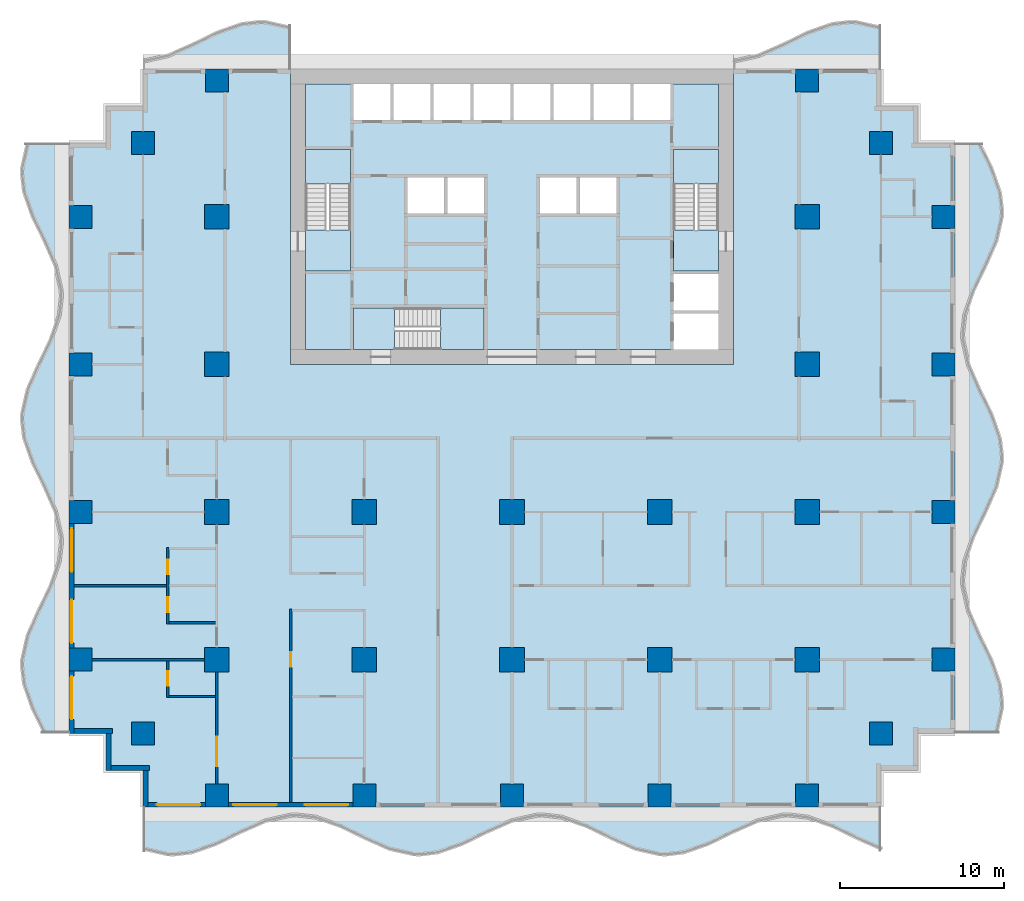
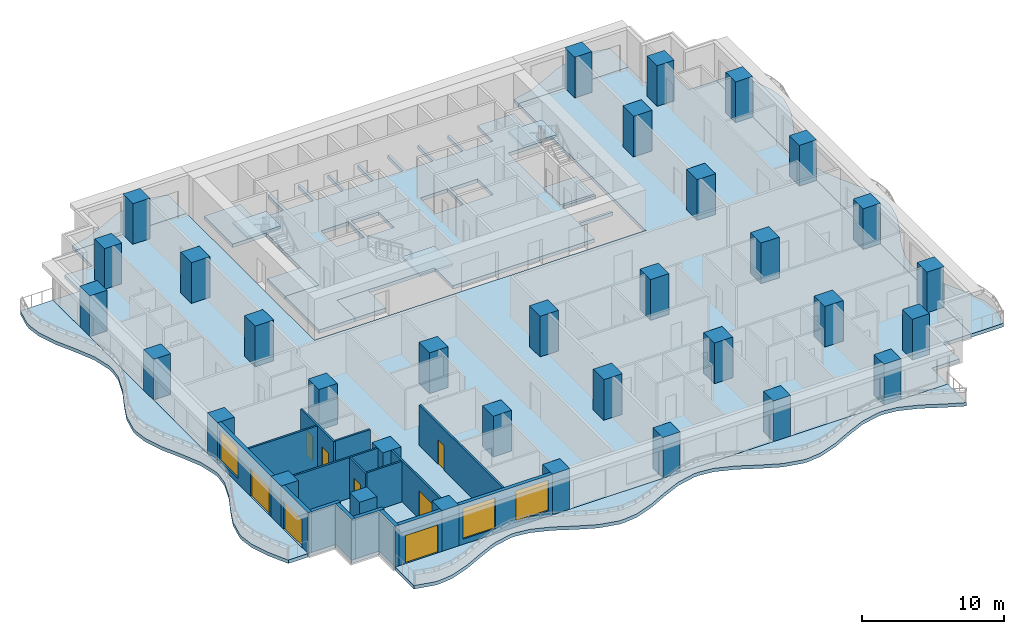
# One storey, part 1 of 14: 33 columns, 16 walls, 13 slabs, 8 doors, 3 windows, 11 openings, 3 elements without a shape of their own.
"""IFC4 building model written with IfcOpenShell, lengths in metres."""

from ifc_helpers import new_model, si_unit, direction, frame, frame_2d, origin, origin_2d, place, context, subcontext, project, spatial, polyline, rectangle, outline, extrude, material, layer, layer_set, material_profile, profile_set, type_object, element, fill, aggregate, save


model = new_model("IFC4")

# Units and contexts
model_context = context("Model", 3, precision=1e-05, world=origin(), true_north=direction((0.0, 1.0)))
body_context = subcontext(model_context, "Body", "Model", "MODEL_VIEW")
ifc_project = project(units=[si_unit("LENGTHUNIT", "METRE"), si_unit("AREAUNIT", "SQUARE_METRE"), si_unit("VOLUMEUNIT", "CUBIC_METRE"), si_unit("PLANEANGLEUNIT", "RADIAN"), si_unit("MASSUNIT", "GRAM", prefix="KILO")], contexts=[model_context])

# Site, building, storey
site_placement = place(None, origin())
site = spatial("IfcSite", under=ifc_project, at=site_placement, CompositionType="ELEMENT")
building_placement = place(site_placement, origin())
building = spatial("IfcBuilding", under=site, at=building_placement, Name="Orbiselva Terraces", CompositionType="ELEMENT")
storey_placement = place(building_placement, frame((0.0, 0.0, 49.2)))
storey = spatial("IfcBuildingStorey", under=building, at=storey_placement, Name="L12", CompositionType="ELEMENT", Elevation=49.2)

# Columns
ifc_material_1 = material(Name="Concrete C80/95", Category="concrete")
ifc_material_profile_1 = material_profile(ifc_material_1, rectangle(XDim=1.5, YDim=1.5, at=origin_2d()), Name="RC 1500x1500")
ifc_profile_set_1 = profile_set([ifc_material_profile_1], Name="Concrete C80/95")
column_type_1 = type_object("IfcColumnType", Name="COLUMN RC 1500x1500", PredefinedType="COLUMN", material=ifc_profile_set_1)
for number, where, z_axis, x_axis, name in (
    (1, (-18.0, -13.5, 0.0), (0.0, 0.0, 1.0), (1.0, 0.0, 0.0), "Column L12-01"),
    (2, (-18.0, -4.5, 0.0), (0.0, 0.0, 1.0), (1.0, 0.0, 0.0), "Column L12-03"),
    (3, (-18.0, 13.5, 0.0), (0.0, 0.0, 1.0), (1.0, 0.0, 0.0), "Column L12-04"),
    (4, (-18.0, 4.5, 0.0), (0.0, 0.0, 1.0), (1.0, 0.0, 0.0), "Column L12-06"),
    (5, (-9.0, -13.5, 0.0), (0.0, 0.0, 1.0), (1.0, 0.0, 0.0), "Column L12-13"),
    (6, (-9.0, -4.5, 0.0), (0.0, 0.0, 1.0), (1.0, 0.0, 0.0), "Column L12-15"),
    (7, (0.0, -13.5, 0.0), (0.0, 0.0, 1.0), (1.0, 0.0, 0.0), "Column L12-16"),
    (8, (0.0, -4.5, 0.0), (0.0, 0.0, 1.0), (1.0, 0.0, 0.0), "Column L12-18"),
    (9, (18.0, -13.5, 0.0), (0.0, 0.0, 1.0), (1.0, 0.0, 0.0), "Column L12-19"),
    (10, (18.0, -4.5, 0.0), (0.0, 0.0, 1.0), (1.0, 0.0, 0.0), "Column L12-21"),
    (11, (18.0, 13.5, 0.0), (0.0, 0.0, 1.0), (1.0, 0.0, 0.0), "Column L12-22"),
    (12, (18.0, 4.5, 0.0), (0.0, 0.0, 1.0), (1.0, 0.0, 0.0), "Column L12-24"),
    (13, (9.0, -13.5, 0.0), (0.0, 0.0, 1.0), (1.0, 0.0, 0.0), "Column L12-31"),
    (14, (9.0, -4.5, 0.0), (0.0, 0.0, 1.0), (1.0, 0.0, 0.0), "Column L12-33"),
):
    element("IfcColumn", number, at=place(storey_placement, frame(where, z_axis=z_axis, x_axis=x_axis)), inside=storey, type_object=column_type_1, Name=name, PredefinedType="COLUMN", context=body_context, shape_type="SweptSolid", body=[
        extrude(rectangle(XDim=1.5, YDim=1.5, at=origin_2d()), origin(), (0.0, 0.0, 1.0), 3.5),
    ])
ifc_material_2 = material(Name="Concrete C70/85", Category="concrete")
ifc_material_profile_2 = material_profile(ifc_material_2, rectangle(XDim=1.4, YDim=1.4, at=origin_2d()), Name="RC 1400x1400")
ifc_profile_set_2 = profile_set([ifc_material_profile_2], Name="Concrete C70/85")
column_type_2 = type_object("IfcColumnType", Name="PERIMETER COLUMN RC 1400x1400", PredefinedType="COLUMN", material=ifc_profile_set_2)
for number, where, z_axis, x_axis, name in (
    (15, (-18.0, -21.8, 0.0), (0.0, 0.0, 1.0), (1.0, 0.0, 0.0), "Column L12-02"),
    (16, (-18.0, 21.8, 0.0), (0.0, 0.0, 1.0), (1.0, 0.0, 0.0), "Column L12-05"),
    (17, (-26.3, -13.5, 0.0), (0.0, 0.0, 1.0), (1.0, 0.0, 0.0), "Column L12-07"),
    (18, (-22.5, -18.0, 0.0), (0.0, 0.0, 1.0), (1.0, 0.0, 0.0), "Column L12-08"),
    (19, (-26.3, -4.5, 0.0), (0.0, 0.0, 1.0), (1.0, 0.0, 0.0), "Column L12-09"),
    (20, (-26.3, 13.5, 0.0), (0.0, 0.0, 1.0), (1.0, 0.0, 0.0), "Column L12-10"),
    (21, (-22.5, 18.0, 0.0), (0.0, 0.0, 1.0), (1.0, 0.0, 0.0), "Column L12-11"),
    (22, (-26.3, 4.5, 0.0), (0.0, 0.0, 1.0), (1.0, 0.0, 0.0), "Column L12-12"),
    (23, (-9.0, -21.8, 0.0), (0.0, 0.0, 1.0), (1.0, 0.0, 0.0), "Column L12-14"),
    (24, (0.0, -21.8, 0.0), (0.0, 0.0, 1.0), (1.0, 0.0, 0.0), "Column L12-17"),
    (25, (18.0, -21.8, 0.0), (0.0, 0.0, 1.0), (1.0, 0.0, 0.0), "Column L12-20"),
    (26, (18.0, 21.8, 0.0), (0.0, 0.0, 1.0), (1.0, 0.0, 0.0), "Column L12-23"),
    (27, (26.3, -13.5, 0.0), (0.0, 0.0, 1.0), (1.0, 0.0, 0.0), "Column L12-25"),
    (28, (22.5, -18.0, 0.0), (0.0, 0.0, 1.0), (1.0, 0.0, 0.0), "Column L12-26"),
    (29, (26.3, -4.5, 0.0), (0.0, 0.0, 1.0), (1.0, 0.0, 0.0), "Column L12-27"),
    (30, (26.3, 13.5, 0.0), (0.0, 0.0, 1.0), (1.0, 0.0, 0.0), "Column L12-28"),
    (31, (22.5, 18.0, 0.0), (0.0, 0.0, 1.0), (1.0, 0.0, 0.0), "Column L12-29"),
    (32, (26.3, 4.5, 0.0), (0.0, 0.0, 1.0), (1.0, 0.0, 0.0), "Column L12-30"),
    (33, (9.0, -21.8, 0.0), (0.0, 0.0, 1.0), (1.0, 0.0, 0.0), "Column L12-32"),
):
    element("IfcColumn", number, at=place(storey_placement, frame(where, z_axis=z_axis, x_axis=x_axis)), inside=storey, type_object=column_type_2, Name=name, PredefinedType="COLUMN", context=body_context, shape_type="SweptSolid", body=[
        extrude(rectangle(XDim=1.4, YDim=1.4, at=origin_2d()), origin(), (0.0, 0.0, 1.0), 3.5),
    ])

# Slabs
ifc_material_3 = material(Name="Concrete C40/50", Category="concrete")
ifc_layer_1 = layer(ifc_material_3, 0.3)
ifc_layer_set_1 = layer_set([ifc_layer_1], Name="Concrete C40/50")
slab_type_1 = type_object("IfcSlabType", Name="CORE-SLAB-FLOOR-300", PredefinedType="FLOOR", material=ifc_layer_set_1)
slab_1_placement = place(storey_placement, frame((0.0, 0.0, -0.3)))
element("IfcSlab", 34, at=slab_1_placement, inside=storey, type_object=slab_type_1, Name="L12 S1 floor landing", PredefinedType="FLOOR", context=body_context, shape_type="SweptSolid", body=[
    extrude(outline(polyline([(-12.6, 12.7), (-9.85, 12.7), (-9.85, 10.2), (-12.6, 10.2), (-12.6, 12.7)])), origin(), (0.0, 0.0, 1.0), 0.3),
])
slab_2_placement = place(storey_placement, frame((0.0, 0.0, -0.3)))
element("IfcSlab", 35, at=slab_2_placement, inside=storey, type_object=slab_type_1, Name="L12 S2 floor landing", PredefinedType="FLOOR", context=body_context, shape_type="SweptSolid", body=[
    extrude(outline(polyline([(12.6, 12.7), (12.6, 10.2), (9.85, 10.2), (9.85, 12.7), (12.6, 12.7)])), origin(), (0.0, 0.0, 1.0), 0.3),
])
slab_3_placement = place(storey_placement, frame((0.0, 0.0, -0.3)))
element("IfcSlab", 36, at=slab_3_placement, inside=storey, type_object=slab_type_1, Name="L12 S3 floor landing", PredefinedType="FLOOR", context=body_context, shape_type="SweptSolid", body=[
    extrude(outline(polyline([(-7.15, 5.4), (-9.65, 5.4), (-9.65, 7.95), (-7.15, 7.95), (-7.15, 5.4)])), origin(), (0.0, 0.0, 1.0), 0.3),
])
slab_4_placement = place(storey_placement, frame((0.0, 0.0, -0.3)))
element("IfcSlab", 37, at=slab_4_placement, inside=storey, type_object=slab_type_1, Name="L12 core floor slab 1", PredefinedType="FLOOR", context=body_context, shape_type="SweptSolid", body=[
    extrude(outline(polyline([(-1.7, 5.4), (-1.7, 7.95), (-9.65, 7.95), (-9.65, 5.4), (-12.6, 5.4), (-12.6, 10.2), (-9.85, 10.2), (-9.85, 17.6), (-12.6, 17.6), (-12.6, 21.6), (-9.65, 21.6), (-9.65, 19.4), (-7.4125, 19.4), (-7.4125, 21.6), (-7.2125, 21.6), (-7.2125, 19.4), (-4.975, 19.4), (-4.975, 21.6), (-4.775, 21.6), (-4.775, 19.4), (-2.5375, 19.4), (-2.5375, 21.6), (-2.3375, 21.6), (-2.3375, 19.4), (-0.1, 19.4), (-0.1, 21.6), (0.1, 21.6), (0.1, 19.4), (2.3375, 19.4), (2.3375, 21.6), (2.5375, 21.6), (2.5375, 19.4), (4.775, 19.4), (4.775, 21.6), (4.975, 21.6), (4.975, 19.4), (7.2125, 19.4), (7.2125, 21.6), (7.4125, 21.6), (7.4125, 19.4), (9.65, 19.4), (9.65, 21.6), (12.6, 21.6), (12.6, 17.6), (9.85, 17.6), (9.85, 10.2), (12.6, 10.2), (12.6, 10.0), (9.85, 10.0), (9.85, 7.8), (12.6, 7.8), (12.6, 7.6), (9.85, 7.6), (9.85, 5.4), (-1.7, 5.4)]), holes=[polyline([(-4.1375, 13.7), (-4.1375, 15.9), (-6.375, 15.9), (-6.375, 13.7), (-4.1375, 13.7)]), polyline([(-1.7, 13.7), (-1.7, 15.9), (-3.9375, 15.9), (-3.9375, 13.7), (-1.7, 13.7)]), polyline([(3.9375, 13.7), (3.9375, 15.9), (1.7, 15.9), (1.7, 13.7), (3.9375, 13.7)]), polyline([(6.375, 13.7), (6.375, 15.9), (4.1375, 15.9), (4.1375, 13.7), (6.375, 13.7)])]), origin(), (0.0, 0.0, 1.0), 0.3),
])

# Stair, slab
stair_type_1 = type_object("IfcStairType", Name="CORE-STAIR-1300", PredefinedType="HALF_TURN_STAIR", material=ifc_material_3)
stair_1_placement = place(storey_placement, origin())
stair_1 = element("IfcStair", 38, at=stair_1_placement, inside=storey, type_object=stair_type_1, Name="L12 Exit Stair S1", PredefinedType="HALF_TURN_STAIR")
ifc_layer_2 = layer(ifc_material_3, 0.2)
ifc_layer_set_2 = layer_set([ifc_layer_2], Name="Concrete C40/50")
slab_type_2 = type_object("IfcSlabType", Name="CORE-STAIR-LANDING-200", PredefinedType="LANDING", material=ifc_layer_set_2)
slab_5_placement = place(storey_placement, frame((0.0, 0.0, 1.7)))
slab_5 = element("IfcSlab", 39, at=slab_5_placement, type_object=slab_type_2, Name="S1 landing 1", PredefinedType="LANDING", context=body_context, shape_type="SweptSolid", body=[
    extrude(outline(polyline([(-9.85, 15.5), (-9.85, 17.6), (-12.6, 17.6), (-12.6, 15.5), (-9.85, 15.5)])), origin(), (0.0, 0.0, 1.0), 0.2),
])
aggregate(stair_1, [slab_5])

stair_2_placement = place(storey_placement, origin())
stair_2 = element("IfcStair", 40, at=stair_2_placement, inside=storey, type_object=stair_type_1, Name="L12 Exit Stair S2", PredefinedType="HALF_TURN_STAIR")
slab_6_placement = place(storey_placement, frame((0.0, 0.0, 1.7)))
slab_6 = element("IfcSlab", 41, at=slab_6_placement, type_object=slab_type_2, Name="S2 landing 1", PredefinedType="LANDING", context=body_context, shape_type="SweptSolid", body=[
    extrude(outline(polyline([(12.6, 15.5), (12.6, 17.6), (9.85, 17.6), (9.85, 15.5), (12.6, 15.5)])), origin(), (0.0, 0.0, 1.0), 0.2),
])
aggregate(stair_2, [slab_6])

stair_type_2 = type_object("IfcStairType", Name="CORE-STAIR-1200", PredefinedType="HALF_TURN_STAIR", material=ifc_material_3)
stair_3_placement = place(storey_placement, origin())
stair_3 = element("IfcStair", 42, at=stair_3_placement, inside=storey, type_object=stair_type_2, Name="L12 Exit Stair S3", PredefinedType="HALF_TURN_STAIR")
slab_7_placement = place(storey_placement, frame((0.0, 0.0, 1.7)))
slab_7 = element("IfcSlab", 43, at=slab_7_placement, type_object=slab_type_2, Name="S3 landing 1", PredefinedType="LANDING", context=body_context, shape_type="SweptSolid", body=[
    extrude(outline(polyline([(-4.35, 5.4), (-1.7, 5.4), (-1.7, 7.95), (-4.35, 7.95), (-4.35, 5.4)])), origin(), (0.0, 0.0, 1.0), 0.2),
])
aggregate(stair_3, [slab_7])

# Slabs
ifc_material_4 = material(Name="Concrete C50/60", Category="concrete")
ifc_layer_3 = layer(ifc_material_4, 0.3)
ifc_layer_set_3 = layer_set([ifc_layer_3], Name="Concrete C50/60")
slab_type_3 = type_object("IfcSlabType", Name="ENV-BALCONY-SLAB-300", PredefinedType="FLOOR", material=ifc_layer_set_3)
slab_8_placement = place(storey_placement, frame((0.0, 0.0, -0.3)))
element("IfcSlab", 44, at=slab_8_placement, inside=storey, type_object=slab_type_3, Name="Balcony slab L12 S", PredefinedType="FLOOR", context=body_context, shape_type="SweptSolid", body=[
    extrude(outline(polyline([(-22.5, -25.148528), (-21.0, -25.485226), (-20.625, -25.5), (-19.5, -25.369208), (-18.0, -24.844789), (-16.5, -24.112279), (-15.0, -23.451472), (-13.5, -23.114774), (-13.125, -23.1), (-12.0, -23.230792), (-10.5, -23.755211), (-9.0, -24.487721), (-7.5, -25.148528), (-6.0, -25.485226), (-5.625, -25.5), (-4.5, -25.369208), (-3.0, -24.844789), (-1.5, -24.112279), (0.0, -23.451472), (1.5, -23.114774), (1.875, -23.1), (3.0, -23.230792), (4.5, -23.755211), (6.0, -24.487721), (7.5, -25.148528), (9.0, -25.485226), (9.375, -25.5), (10.5, -25.369208), (12.0, -24.844789), (13.5, -24.112279), (15.0, -23.451472), (16.5, -23.114774), (16.875, -23.1), (18.0, -23.230792), (19.5, -23.755211), (21.0, -24.487721), (22.5, -25.148528), (22.5, -22.5), (-22.5, -22.5), (-22.5, -25.148528)])), origin(), (0.0, 0.0, 1.0), 0.3),
])
slab_9_placement = place(storey_placement, frame((0.0, 0.0, -0.3)))
element("IfcSlab", 45, at=slab_9_placement, inside=storey, type_object=slab_type_3, Name="Balcony slab L12 E", PredefinedType="FLOOR", context=body_context, shape_type="SweptSolid", body=[
    extrude(outline(polyline([(29.648528, -18.0), (29.985226, -16.5), (30.0, -16.125), (29.869208, -15.0), (29.344789, -13.5), (28.612279, -12.0), (27.951472, -10.5), (27.614774, -9.0), (27.6, -8.625), (27.730792, -7.5), (28.255211, -6.0), (28.987721, -4.5), (29.648528, -3.0), (29.985226, -1.5), (30.0, -1.125), (29.869208, 0.0), (29.344789, 1.5), (28.612279, 3.0), (27.951472, 4.5), (27.614774, 6.0), (27.6, 6.375), (27.730792, 7.5), (28.255211, 9.0), (28.987721, 10.5), (29.648528, 12.0), (29.985226, 13.5), (30.0, 13.875), (29.869208, 15.0), (29.344789, 16.5), (28.612279, 18.0), (27.0, 18.0), (27.0, -18.0), (29.648528, -18.0)])), origin(), (0.0, 0.0, 1.0), 0.3),
])
slab_10_placement = place(storey_placement, frame((0.0, 0.0, -0.3)))
element("IfcSlab", 46, at=slab_10_placement, inside=storey, type_object=slab_type_3, Name="Balcony slab L12 NE", PredefinedType="FLOOR", context=body_context, shape_type="SweptSolid", body=[
    extrude(outline(polyline([(22.5, 25.148528), (21.0, 25.485226), (20.625, 25.5), (19.5, 25.369208), (18.0, 24.844789), (16.5, 24.112279), (15.0, 23.451472), (13.5, 23.114774), (13.5, 22.5), (22.5, 22.5), (22.5, 25.148528)])), origin(), (0.0, 0.0, 1.0), 0.3),
])
slab_11_placement = place(storey_placement, frame((0.0, 0.0, -0.3)))
element("IfcSlab", 47, at=slab_11_placement, inside=storey, type_object=slab_type_3, Name="Balcony slab L12 NW", PredefinedType="FLOOR", context=body_context, shape_type="SweptSolid", body=[
    extrude(outline(polyline([(-13.5, 25.148528), (-15.0, 25.485226), (-15.375, 25.5), (-16.5, 25.369208), (-18.0, 24.844789), (-19.5, 24.112279), (-21.0, 23.451472), (-22.5, 23.114774), (-22.5, 22.5), (-13.5, 22.5), (-13.5, 25.148528)])), origin(), (0.0, 0.0, 1.0), 0.3),
])
slab_12_placement = place(storey_placement, frame((0.0, 0.0, -0.3)))
element("IfcSlab", 48, at=slab_12_placement, inside=storey, type_object=slab_type_3, Name="Balcony slab L12 W", PredefinedType="FLOOR", context=body_context, shape_type="SweptSolid", body=[
    extrude(outline(polyline([(-29.648528, 18.0), (-29.985226, 16.5), (-30.0, 16.125), (-29.869208, 15.0), (-29.344789, 13.5), (-28.612279, 12.0), (-27.951472, 10.5), (-27.614774, 9.0), (-27.6, 8.625), (-27.730792, 7.5), (-28.255211, 6.0), (-28.987721, 4.5), (-29.648528, 3.0), (-29.985226, 1.5), (-30.0, 1.125), (-29.869208, 0.0), (-29.344789, -1.5), (-28.612279, -3.0), (-27.951472, -4.5), (-27.614774, -6.0), (-27.6, -6.375), (-27.730792, -7.5), (-28.255211, -9.0), (-28.987721, -10.5), (-29.648528, -12.0), (-29.985226, -13.5), (-30.0, -13.875), (-29.869208, -15.0), (-29.344789, -16.5), (-28.612279, -18.0), (-27.0, -18.0), (-27.0, 18.0), (-29.648528, 18.0)])), origin(), (0.0, 0.0, 1.0), 0.3),
])
ifc_layer_4 = layer(ifc_material_4, 0.3)
ifc_layer_set_4 = layer_set([ifc_layer_4], Name="Concrete C50/60")
slab_type_4 = type_object("IfcSlabType", Name="FLOOR SLAB 300", PredefinedType="FLOOR", material=ifc_layer_set_4)
slab_13_placement = place(storey_placement, frame((0.0, 0.0, -0.3)))
element("IfcSlab", 49, at=slab_13_placement, inside=storey, type_object=slab_type_4, Name="Floor slab L12", PredefinedType="FLOOR", context=body_context, shape_type="SweptSolid", body=[
    extrude(outline(polyline([(22.5, 22.5), (22.5, 20.25), (24.75, 20.25), (24.75, 18.0), (27.0, 18.0), (27.0, -18.0), (24.75, -18.0), (24.75, -20.25), (22.5, -20.25), (22.5, -22.5), (-22.5, -22.5), (-22.5, -20.25), (-24.75, -20.25), (-24.75, -18.0), (-27.0, -18.0), (-27.0, 18.0), (-24.75, 18.0), (-24.75, 20.25), (-22.5, 20.25), (-22.5, 22.5), (-13.5, 22.5), (-13.5, 4.5), (13.5, 4.5), (13.5, 22.5), (22.5, 22.5)])), origin(), (0.0, 0.0, 1.0), 0.3),
])

# Wall, opening, door
ifc_material_5 = material(Name="Terracotta cladding on masonry backing", Category="masonry")
ifc_layer_5 = layer(ifc_material_5, 0.3)
ifc_layer_set_5 = layer_set([ifc_layer_5], Name="Terracotta cladding on masonry backing")
wall_type_1 = type_object("IfcWallType", Name="ENV-WALL-TERRACOTTA-300", PredefinedType="SOLIDWALL", material=ifc_layer_set_5)
wall_1_placement = place(storey_placement, frame((-18.7, -22.35, 0.0), z_axis=(0.0, 0.0, 1.0), x_axis=(-1.0, 0.0, 0.0)))
wall_1 = element("IfcWall", 50, at=wall_1_placement, inside=storey, type_object=wall_type_1, Name="Facade wall L12 S", PredefinedType="SOLIDWALL", context=body_context, shape_type="SweptSolid", body=[
    extrude(rectangle(XDim=3.5, YDim=0.3, at=frame_2d((1.75, 0.0))), origin(), (0.0, 0.0, 1.0), 3.5),
])
opening_1_placement = place(wall_1_placement, frame((0.3, 0.0, 0.0)))
opening_1 = element("IfcOpeningElement", 51, at=opening_1_placement, cuts=wall_1, Name="Opening Z1-D-E01", PredefinedType="OPENING", context=body_context, shape_type="SweptSolid", body=[
    extrude(rectangle(XDim=2.65, YDim=2.4, at=frame_2d((1.325, 1.2))), frame((0.0, 0.16, 0.0), z_axis=(0.0, -1.0, 0.0), x_axis=(1.0, 0.0, 0.0)), (0.0, 0.0, 1.0), 0.32),
])
ifc_material_6 = material(Name="Clear low-e glazing in aluminium frame", Category="aluminium")
door_type_1 = type_object("IfcDoorType", Name="BALCONY DOOR 2650 X 2400", OperationType="DOUBLE_DOOR_SLIDING", PredefinedType="DOOR", material=ifc_material_6)
door_1_placement = place(opening_1_placement, origin())
door_1 = element("IfcDoor", 52, at=door_1_placement, inside=storey, type_object=door_type_1, Name="Z1-D-E01", OperationType="SINGLE_SWING_LEFT", OverallHeight=2.4, OverallWidth=2.65, PredefinedType="DOOR", context=body_context, shape_type="SweptSolid", body=[
    extrude(rectangle(XDim=2.65, YDim=2.4, at=frame_2d((1.325, 1.2))), frame((0.0, 0.025, 0.0), z_axis=(0.0, -1.0, 0.0), x_axis=(1.0, 0.0, 0.0)), (0.0, 0.0, 1.0), 0.05),
])
fill(opening_1, door_1)

# Wall, openings, windows
wall_2_placement = place(storey_placement, frame((-9.7, -22.35, 0.0), z_axis=(0.0, 0.0, 1.0), x_axis=(-1.0, 0.0, 0.0)))
wall_2 = element("IfcWall", 53, at=wall_2_placement, inside=storey, type_object=wall_type_1, Name="Facade wall L12 S", PredefinedType="SOLIDWALL", context=body_context, shape_type="SweptSolid", body=[
    extrude(rectangle(XDim=7.6, YDim=0.3, at=frame_2d((3.8, 0.0))), origin(), (0.0, 0.0, 1.0), 3.5),
])
opening_2_placement = place(wall_2_placement, frame((4.65, 0.0, 0.45)))
opening_2 = element("IfcOpeningElement", 54, at=opening_2_placement, cuts=wall_2, Name="Opening WN3", PredefinedType="OPENING", context=body_context, shape_type="SweptSolid", body=[
    extrude(rectangle(XDim=2.65, YDim=2.65, at=frame_2d((1.325, 1.325))), frame((0.0, 0.16, 0.0), z_axis=(0.0, -1.0, 0.0), x_axis=(1.0, 0.0, 0.0)), (0.0, 0.0, 1.0), 0.32),
])
opening_3_placement = place(wall_2_placement, frame((0.3, 0.0, 0.45)))
opening_3 = element("IfcOpeningElement", 55, at=opening_3_placement, cuts=wall_2, Name="Opening WN3", PredefinedType="OPENING", context=body_context, shape_type="SweptSolid", body=[
    extrude(rectangle(XDim=2.65, YDim=2.65, at=frame_2d((1.325, 1.325))), frame((0.0, 0.16, 0.0), z_axis=(0.0, -1.0, 0.0), x_axis=(1.0, 0.0, 0.0)), (0.0, 0.0, 1.0), 0.32),
])
window_type = type_object("IfcWindowType", Name="WINDOW 2650 X 2650 S450", PartitioningType="TRIPLE_PANEL_VERTICAL", PredefinedType="WINDOW", material=ifc_material_6)
window_1_placement = place(opening_2_placement, origin())
window_1 = element("IfcWindow", 56, at=window_1_placement, inside=storey, type_object=window_type, Name="Window L12 S", OverallHeight=2.65, OverallWidth=2.65, PartitioningType="SINGLE_PANEL", PredefinedType="WINDOW", context=body_context, shape_type="SweptSolid", body=[
    extrude(rectangle(XDim=2.65, YDim=2.65, at=frame_2d((1.325, 1.325))), frame((0.0, 0.03, 0.0), z_axis=(0.0, -1.0, 0.0), x_axis=(1.0, 0.0, 0.0)), (0.0, 0.0, 1.0), 0.06),
])
fill(opening_2, window_1)
window_2_placement = place(opening_3_placement, origin())
window_2 = element("IfcWindow", 57, at=window_2_placement, inside=storey, type_object=window_type, Name="Window L12 S", OverallHeight=2.65, OverallWidth=2.65, PartitioningType="SINGLE_PANEL", PredefinedType="WINDOW", context=body_context, shape_type="SweptSolid", body=[
    extrude(rectangle(XDim=2.65, YDim=2.65, at=frame_2d((1.325, 1.325))), frame((0.0, 0.03, 0.0), z_axis=(0.0, -1.0, 0.0), x_axis=(1.0, 0.0, 0.0)), (0.0, 0.0, 1.0), 0.06),
])
fill(opening_3, window_2)

# Wall, openings, door, window
wall_3_placement = place(storey_placement, frame((-26.85, -12.8, 0.0), z_axis=(0.0, 0.0, 1.0), x_axis=(0.0, 1.0, 0.0)))
wall_3 = element("IfcWall", 58, at=wall_3_placement, inside=storey, type_object=wall_type_1, Name="Facade wall L12 W", PredefinedType="SOLIDWALL", context=body_context, shape_type="SweptSolid", body=[
    extrude(rectangle(XDim=7.6, YDim=0.3, at=frame_2d((3.8, 0.0))), origin(), (0.0, 0.0, 1.0), 3.5),
])
opening_4_placement = place(wall_3_placement, frame((4.65, 0.0, 0.45)))
opening_4 = element("IfcOpeningElement", 59, at=opening_4_placement, cuts=wall_3, Name="Opening WN3", PredefinedType="OPENING", context=body_context, shape_type="SweptSolid", body=[
    extrude(rectangle(XDim=2.65, YDim=2.65, at=frame_2d((1.325, 1.325))), frame((0.0, 0.16, 0.0), z_axis=(0.0, -1.0, 0.0), x_axis=(1.0, 0.0, 0.0)), (0.0, 0.0, 1.0), 0.32),
])
opening_5_placement = place(wall_3_placement, frame((0.3, 0.0, 0.0)))
opening_5 = element("IfcOpeningElement", 60, at=opening_5_placement, cuts=wall_3, Name="Opening Z1-D-E13", PredefinedType="OPENING", context=body_context, shape_type="SweptSolid", body=[
    extrude(rectangle(XDim=2.65, YDim=2.4, at=frame_2d((1.325, 1.2))), frame((0.0, 0.16, 0.0), z_axis=(0.0, -1.0, 0.0), x_axis=(1.0, 0.0, 0.0)), (0.0, 0.0, 1.0), 0.32),
])
door_2_placement = place(opening_5_placement, origin())
door_2 = element("IfcDoor", 61, at=door_2_placement, inside=storey, type_object=door_type_1, Name="Z1-D-E13", OperationType="SINGLE_SWING_LEFT", OverallHeight=2.4, OverallWidth=2.65, PredefinedType="DOOR", context=body_context, shape_type="SweptSolid", body=[
    extrude(rectangle(XDim=2.65, YDim=2.4, at=frame_2d((1.325, 1.2))), frame((0.0, 0.025, 0.0), z_axis=(0.0, -1.0, 0.0), x_axis=(1.0, 0.0, 0.0)), (0.0, 0.0, 1.0), 0.05),
])
fill(opening_5, door_2)
window_3_placement = place(opening_4_placement, origin())
window_3 = element("IfcWindow", 62, at=window_3_placement, inside=storey, type_object=window_type, Name="Window L12 W", OverallHeight=2.65, OverallWidth=2.65, PartitioningType="SINGLE_PANEL", PredefinedType="WINDOW", context=body_context, shape_type="SweptSolid", body=[
    extrude(rectangle(XDim=2.65, YDim=2.65, at=frame_2d((1.325, 1.325))), frame((0.0, 0.03, 0.0), z_axis=(0.0, -1.0, 0.0), x_axis=(1.0, 0.0, 0.0)), (0.0, 0.0, 1.0), 0.06),
])
fill(opening_4, window_3)

# Wall, opening, door
wall_4_placement = place(storey_placement, frame((-26.85, -18.0, 0.0), z_axis=(0.0, 0.0, 1.0), x_axis=(0.0, 1.0, 0.0)))
wall_4 = element("IfcWall", 63, at=wall_4_placement, inside=storey, type_object=wall_type_1, Name="Facade wall L12 W", PredefinedType="SOLIDWALL", context=body_context, shape_type="SweptSolid", body=[
    extrude(rectangle(XDim=3.8, YDim=0.3, at=frame_2d((1.9, 0.0))), origin(), (0.0, 0.0, 1.0), 3.5),
])
opening_6_placement = place(wall_4_placement, frame((0.85, 0.0, 0.0)))
opening_6 = element("IfcOpeningElement", 64, at=opening_6_placement, cuts=wall_4, Name="Opening Z1-D-E14", PredefinedType="OPENING", context=body_context, shape_type="SweptSolid", body=[
    extrude(rectangle(XDim=2.65, YDim=2.4, at=frame_2d((1.325, 1.2))), frame((0.0, 0.16, 0.0), z_axis=(0.0, -1.0, 0.0), x_axis=(1.0, 0.0, 0.0)), (0.0, 0.0, 1.0), 0.32),
])
door_3_placement = place(opening_6_placement, origin())
door_3 = element("IfcDoor", 65, at=door_3_placement, inside=storey, type_object=door_type_1, Name="Z1-D-E14", OperationType="SINGLE_SWING_LEFT", OverallHeight=2.4, OverallWidth=2.65, PredefinedType="DOOR", context=body_context, shape_type="SweptSolid", body=[
    extrude(rectangle(XDim=2.65, YDim=2.4, at=frame_2d((1.325, 1.2))), frame((0.0, 0.025, 0.0), z_axis=(0.0, -1.0, 0.0), x_axis=(1.0, 0.0, 0.0)), (0.0, 0.0, 1.0), 0.05),
])
fill(opening_6, door_3)

# Walls
wall_5_placement = place(storey_placement, frame((-24.35, -17.85, 0.0), z_axis=(0.0, 0.0, 1.0), x_axis=(-1.0, 0.0, 0.0)))
element("IfcWall", 66, at=wall_5_placement, inside=storey, type_object=wall_type_1, Name="Facade wall L12 STEP", PredefinedType="SOLIDWALL", context=body_context, shape_type="SweptSolid", body=[
    extrude(rectangle(XDim=2.35, YDim=0.3, at=frame_2d((1.175, 0.0))), origin(), (0.0, 0.0, 1.0), 3.5),
])
wall_6_placement = place(storey_placement, frame((-24.6, -20.25, 0.0), z_axis=(0.0, 0.0, 1.0), x_axis=(0.0, 1.0, 0.0)))
element("IfcWall", 67, at=wall_6_placement, inside=storey, type_object=wall_type_1, Name="Facade wall L12 STEP", PredefinedType="SOLIDWALL", context=body_context, shape_type="SweptSolid", body=[
    extrude(rectangle(XDim=2.25, YDim=0.3, at=frame_2d((1.125, 0.0))), origin(), (0.0, 0.0, 1.0), 3.5),
])
wall_7_placement = place(storey_placement, frame((-22.1, -20.1, 0.0), z_axis=(0.0, 0.0, 1.0), x_axis=(-1.0, 0.0, 0.0)))
element("IfcWall", 68, at=wall_7_placement, inside=storey, type_object=wall_type_1, Name="Facade wall L12 STEP", PredefinedType="SOLIDWALL", context=body_context, shape_type="SweptSolid", body=[
    extrude(rectangle(XDim=2.35, YDim=0.3, at=frame_2d((1.175, 0.0))), origin(), (0.0, 0.0, 1.0), 3.5),
])
wall_8_placement = place(storey_placement, frame((-22.35, -22.5, 0.0), z_axis=(0.0, 0.0, 1.0), x_axis=(0.0, 1.0, 0.0)))
element("IfcWall", 69, at=wall_8_placement, inside=storey, type_object=wall_type_1, Name="Facade wall L12 STEP", PredefinedType="SOLIDWALL", context=body_context, shape_type="SweptSolid", body=[
    extrude(rectangle(XDim=2.25, YDim=0.3, at=frame_2d((1.125, 0.0))), origin(), (0.0, 0.0, 1.0), 3.5),
])
ifc_material_7 = material(Name="Plasterboard on steel stud partition", Category="steel")
ifc_layer_6 = layer(ifc_material_7, 0.15)
ifc_layer_set_6 = layer_set([ifc_layer_6], Name="Plasterboard on steel stud partition")
wall_type_2 = type_object("IfcWallType", Name="UNIT-PARTITION-150", PredefinedType="PARTITIONING", material=ifc_layer_set_6)
wall_9_placement = place(storey_placement, frame((-20.925, -15.75, 0.0), z_axis=(0.0, 0.0, 1.0), x_axis=(1.0, 0.0, 0.0)))
element("IfcWall", 70, at=wall_9_placement, inside=storey, type_object=wall_type_2, Name="PARTITION L12-007", PredefinedType="PARTITIONING", context=body_context, shape_type="SweptSolid", body=[
    extrude(rectangle(XDim=2.85, YDim=0.15, at=frame_2d((1.425, 0.0))), origin(), (0.0, 0.0, 1.0), 3.5),
])
wall_10_placement = place(storey_placement, frame((-25.6, -13.5, 0.0), z_axis=(0.0, 0.0, 1.0), x_axis=(1.0, 0.0, 0.0)))
element("IfcWall", 71, at=wall_10_placement, inside=storey, type_object=wall_type_2, Name="PARTITION L12-009", PredefinedType="PARTITIONING", context=body_context, shape_type="SweptSolid", body=[
    extrude(rectangle(XDim=6.85, YDim=0.15, at=frame_2d((3.425, 0.0))), origin(), (0.0, 0.0, 1.0), 3.5),
])
wall_11_placement = place(storey_placement, frame((-20.925, -11.25, 0.0), z_axis=(0.0, 0.0, 1.0), x_axis=(1.0, 0.0, 0.0)))
element("IfcWall", 72, at=wall_11_placement, inside=storey, type_object=wall_type_2, Name="PARTITION L12-013", PredefinedType="PARTITIONING", context=body_context, shape_type="SweptSolid", body=[
    extrude(rectangle(XDim=2.85, YDim=0.15, at=frame_2d((1.425, 0.0))), origin(), (0.0, 0.0, 1.0), 3.5),
])
wall_12_placement = place(storey_placement, frame((-26.7, -9.0, 0.0), z_axis=(0.0, 0.0, 1.0), x_axis=(1.0, 0.0, 0.0)))
element("IfcWall", 73, at=wall_12_placement, inside=storey, type_object=wall_type_2, Name="PARTITION L12-015", PredefinedType="PARTITIONING", context=body_context, shape_type="SweptSolid", body=[
    extrude(rectangle(XDim=5.625, YDim=0.15, at=frame_2d((2.8125, 0.0))), origin(), (0.0, 0.0, 1.0), 3.5),
])

# Wall, opening, door
wall_13_placement = place(storey_placement, frame((-21.0, -13.575, 0.0), z_axis=(0.0, 0.0, 1.0), x_axis=(0.0, -1.0, 0.0)))
wall_13 = element("IfcWall", 74, at=wall_13_placement, inside=storey, type_object=wall_type_2, Name="PARTITION L12-044", PredefinedType="PARTITIONING", context=body_context, shape_type="SweptSolid", body=[
    extrude(rectangle(XDim=2.25, YDim=0.15, at=frame_2d((1.125, 0.0))), origin(), (0.0, 0.0, 1.0), 3.5),
])
opening_7_placement = place(wall_13_placement, frame((0.625, 0.0, 0.0)))
opening_7 = element("IfcOpeningElement", 75, at=opening_7_placement, cuts=wall_13, Name="Opening Z1-D-26", PredefinedType="OPENING", context=body_context, shape_type="SweptSolid", body=[
    extrude(rectangle(XDim=0.9, YDim=2.1, at=frame_2d((0.45, 1.05))), frame((0.0, 0.085, 0.0), z_axis=(0.0, -1.0, 0.0), x_axis=(1.0, 0.0, 0.0)), (0.0, 0.0, 1.0), 0.17),
])
ifc_material_8 = material(Name="Painted timber door leaf", Category="wood")
door_type_2 = type_object("IfcDoorType", Name="BATH DOOR 900", OperationType="NOTDEFINED", PredefinedType="DOOR", material=ifc_material_8)
door_4_placement = place(opening_7_placement, origin())
door_4 = element("IfcDoor", 76, at=door_4_placement, inside=storey, type_object=door_type_2, Name="Z1-D-26", OperationType="SINGLE_SWING_LEFT", OverallHeight=2.1, OverallWidth=0.9, PredefinedType="DOOR", context=body_context, shape_type="SweptSolid", body=[
    extrude(rectangle(XDim=0.9, YDim=2.1, at=frame_2d((0.45, 1.05))), frame((0.0, 0.025, 0.0), z_axis=(0.0, -1.0, 0.0), x_axis=(1.0, 0.0, 0.0)), (0.0, 0.0, 1.0), 0.05),
])
fill(opening_7, door_4)

# Wall, openings, doors
wall_14_placement = place(storey_placement, frame((-21.0, -6.675, 0.0), z_axis=(0.0, 0.0, 1.0), x_axis=(0.0, -1.0, 0.0)))
wall_14 = element("IfcWall", 77, at=wall_14_placement, inside=storey, type_object=wall_type_2, Name="PARTITION L12-045", PredefinedType="PARTITIONING", context=body_context, shape_type="SweptSolid", body=[
    extrude(rectangle(XDim=4.65, YDim=0.15, at=frame_2d((2.325, 0.0))), origin(), (0.0, 0.0, 1.0), 3.5),
])
opening_8_placement = place(wall_14_placement, frame((0.725, 0.0, 0.0)))
opening_8 = element("IfcOpeningElement", 78, at=opening_8_placement, cuts=wall_14, Name="Opening Z1-D-22", PredefinedType="OPENING", context=body_context, shape_type="SweptSolid", body=[
    extrude(rectangle(XDim=0.9, YDim=2.1, at=frame_2d((0.45, 1.05))), frame((0.0, 0.085, 0.0), z_axis=(0.0, -1.0, 0.0), x_axis=(1.0, 0.0, 0.0)), (0.0, 0.0, 1.0), 0.17),
])
opening_9_placement = place(wall_14_placement, frame((3.025, 0.0, 0.0)))
opening_9 = element("IfcOpeningElement", 79, at=opening_9_placement, cuts=wall_14, Name="Opening Z1-D-24", PredefinedType="OPENING", context=body_context, shape_type="SweptSolid", body=[
    extrude(rectangle(XDim=0.9, YDim=2.1, at=frame_2d((0.45, 1.05))), frame((0.0, 0.085, 0.0), z_axis=(0.0, -1.0, 0.0), x_axis=(1.0, 0.0, 0.0)), (0.0, 0.0, 1.0), 0.17),
])
door_5_placement = place(opening_8_placement, origin())
door_5 = element("IfcDoor", 80, at=door_5_placement, inside=storey, type_object=door_type_2, Name="Z1-D-22", OperationType="SINGLE_SWING_LEFT", OverallHeight=2.1, OverallWidth=0.9, PredefinedType="DOOR", context=body_context, shape_type="SweptSolid", body=[
    extrude(rectangle(XDim=0.9, YDim=2.1, at=frame_2d((0.45, 1.05))), frame((0.0, 0.025, 0.0), z_axis=(0.0, -1.0, 0.0), x_axis=(1.0, 0.0, 0.0)), (0.0, 0.0, 1.0), 0.05),
])
fill(opening_8, door_5)
door_6_placement = place(opening_9_placement, origin())
door_6 = element("IfcDoor", 81, at=door_6_placement, inside=storey, type_object=door_type_2, Name="Z1-D-24", OperationType="SINGLE_SWING_RIGHT", OverallHeight=2.1, OverallWidth=0.9, PredefinedType="DOOR", context=body_context, shape_type="SweptSolid", body=[
    extrude(rectangle(XDim=0.9, YDim=2.1, at=frame_2d((0.45, 1.05))), frame((0.0, 0.025, 0.0), z_axis=(0.0, -1.0, 0.0), x_axis=(1.0, 0.0, 0.0)), (0.0, 0.0, 1.0), 0.05),
])
fill(opening_9, door_6)

# Wall, opening, door
wall_15_placement = place(storey_placement, frame((-18.0, -21.1, 0.0), z_axis=(0.0, 0.0, 1.0), x_axis=(0.0, 1.0, 0.0)))
wall_15 = element("IfcWall", 82, at=wall_15_placement, inside=storey, type_object=wall_type_2, Name="PARTITION L12-047", PredefinedType="PARTITIONING", context=body_context, shape_type="SweptSolid", body=[
    extrude(rectangle(XDim=6.85, YDim=0.15, at=frame_2d((3.425, 0.0))), origin(), (0.0, 0.0, 1.0), 3.5),
])
opening_10_placement = place(wall_15_placement, frame((1.1, 0.0, 0.0)))
opening_10 = element("IfcOpeningElement", 83, at=opening_10_placement, cuts=wall_15, Name="Opening Z1-D-25", PredefinedType="OPENING", context=body_context, shape_type="SweptSolid", body=[
    extrude(rectangle(XDim=1.8, YDim=2.4, at=frame_2d((0.9, 1.2))), frame((0.0, 0.085, 0.0), z_axis=(0.0, -1.0, 0.0), x_axis=(1.0, 0.0, 0.0)), (0.0, 0.0, 1.0), 0.17),
])
door_type_3 = type_object("IfcDoorType", Name="DOUBLE DOOR 1800", OperationType="NOTDEFINED", PredefinedType="DOOR", material=ifc_material_8)
door_7_placement = place(opening_10_placement, origin())
door_7 = element("IfcDoor", 84, at=door_7_placement, inside=storey, type_object=door_type_3, Name="Z1-D-25", OperationType="DOUBLE_DOOR_SINGLE_SWING", OverallHeight=2.4, OverallWidth=1.8, PredefinedType="DOOR", context=body_context, shape_type="SweptSolid", body=[
    extrude(rectangle(XDim=1.8, YDim=2.4, at=frame_2d((0.9, 1.2))), frame((0.0, 0.025, 0.0), z_axis=(0.0, -1.0, 0.0), x_axis=(1.0, 0.0, 0.0)), (0.0, 0.0, 1.0), 0.05),
])
fill(opening_10, door_7)

wall_16_placement = place(storey_placement, frame((-13.5, -10.425, 0.0), z_axis=(0.0, 0.0, 1.0), x_axis=(0.0, -1.0, 0.0)))
wall_16 = element("IfcWall", 85, at=wall_16_placement, inside=storey, type_object=wall_type_2, Name="PARTITION L12-053", PredefinedType="PARTITIONING", context=body_context, shape_type="SweptSolid", body=[
    extrude(rectangle(XDim=11.775, YDim=0.15, at=frame_2d((5.8875, 0.0))), origin(), (0.0, 0.0, 1.0), 3.5),
])
opening_11_placement = place(wall_16_placement, frame((2.625, 0.0, 0.0)))
opening_11 = element("IfcOpeningElement", 86, at=opening_11_placement, cuts=wall_16, Name="Opening Z1-D-16", PredefinedType="OPENING", context=body_context, shape_type="SweptSolid", body=[
    extrude(rectangle(XDim=0.9, YDim=2.1, at=frame_2d((0.45, 1.05))), frame((0.0, 0.085, 0.0), z_axis=(0.0, -1.0, 0.0), x_axis=(1.0, 0.0, 0.0)), (0.0, 0.0, 1.0), 0.17),
])
door_type_4 = type_object("IfcDoorType", Name="SERVICE DOOR 900", OperationType="NOTDEFINED", PredefinedType="DOOR", material=ifc_material_8)
door_8_placement = place(opening_11_placement, origin())
door_8 = element("IfcDoor", 87, at=door_8_placement, inside=storey, type_object=door_type_4, Name="Z1-D-16", OperationType="SINGLE_SWING_LEFT", OverallHeight=2.1, OverallWidth=0.9, PredefinedType="DOOR", context=body_context, shape_type="SweptSolid", body=[
    extrude(rectangle(XDim=0.9, YDim=2.1, at=frame_2d((0.45, 1.05))), frame((0.0, 0.025, 0.0), z_axis=(0.0, -1.0, 0.0), x_axis=(1.0, 0.0, 0.0)), (0.0, 0.0, 1.0), 0.05),
])
fill(opening_11, door_8)

save(model, "model.ifc")
